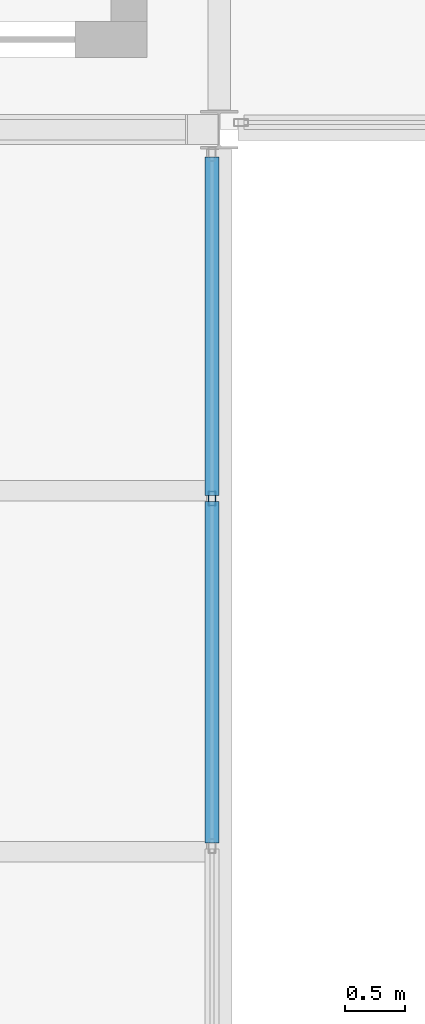
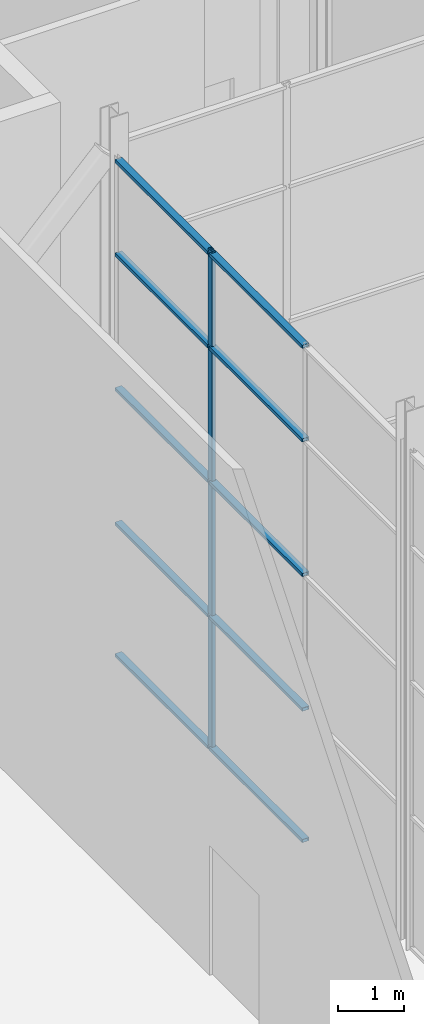
# One storey, part 35 of 111: 11 members, 1 element without a shape of its own.
"""IFC4 building model written with IfcOpenShell, lengths in metres."""

from ifc_helpers import new_model, si_unit, direction, frame, origin, origin_2d, place, context, subcontext, project, spatial, hollow_rectangle, extrude, material, layer, layer_set, material_profile, profile_set, type_object, element, aggregate, save


model = new_model("IFC4")

# Units and contexts
model_context = context("Model", 3, precision=1e-05, world=origin(), true_north=direction((0.0, 1.0)))
body_context = subcontext(model_context, "Body", "Model", "MODEL_VIEW")
ifc_project = project(units=[si_unit("LENGTHUNIT", "METRE"), si_unit("AREAUNIT", "SQUARE_METRE"), si_unit("VOLUMEUNIT", "CUBIC_METRE"), si_unit("PLANEANGLEUNIT", "RADIAN"), si_unit("MASSUNIT", "GRAM", prefix="KILO")], contexts=[model_context])

# Site, building, storey
site_placement = place(None, origin())
site = spatial("IfcSite", under=ifc_project, at=site_placement, CompositionType="ELEMENT")
building_placement = place(site_placement, origin())
building = spatial("IfcBuilding", under=site, at=building_placement, Name="Shorebreak Coast Museum", CompositionType="ELEMENT")
storey_placement = place(building_placement, frame((0.0, 0.0, 16.0)))
storey = spatial("IfcBuildingStorey", under=building, at=storey_placement, Name="L03", CompositionType="ELEMENT", Elevation=16.0)

# Curtain wall, members
ifc_material_1 = material(Name="Aluminium", Category="aluminium")
ifc_layer = layer(ifc_material_1, 0.1201171875)
ifc_layer_set = layer_set([ifc_layer], Name="Aluminium")
curtain_wall_type = type_object("IfcCurtainWallType", Name="Atrium fire screen", PredefinedType="NOTDEFINED", material=ifc_layer_set)
curtain_wall_placement = place(storey_placement, origin())
curtain_wall = element("IfcCurtainWall", 1, at=curtain_wall_placement, inside=storey, type_object=curtain_wall_type, Name="Atrium screen L03 W 46", PredefinedType="NOTDEFINED")
ifc_material_2 = material(Name="Aluminium", Category="aluminium")
ifc_material_profile_1 = material_profile(ifc_material_2, hollow_rectangle(XDim=0.06005859375, YDim=0.1201171875, WallThickness=0.00341796875, at=origin_2d()), Name="AL 120x60 RHS")
ifc_profile_set_1 = profile_set([ifc_material_profile_1], Name="Aluminium")
member_type_1 = type_object("IfcMemberType", Name="Screen mullion 50 x 120", PredefinedType="MULLION", material=ifc_profile_set_1)
member_1_placement = place(storey_placement, frame((62.93994140625, 77.9345703125, 0.0), z_axis=(0.0, 0.0, 1.0), x_axis=(-1.0, 0.0, 0.0)))
member_1 = element("IfcMember", 2, at=member_1_placement, type_object=member_type_1, Name="CW5 mullion 3", PredefinedType="MULLION", context=body_context, shape_type="SweptSolid", body=[
    extrude(hollow_rectangle(XDim=0.06005859375, YDim=0.1201171875, WallThickness=0.00341796875, at=origin_2d()), origin(), (0.0, 0.0, 1.0), 9.296875),
])
ifc_material_3 = material(Name="Aluminium", Category="aluminium")
ifc_material_profile_2 = material_profile(ifc_material_3, hollow_rectangle(XDim=0.1201171875, YDim=0.06005859375, WallThickness=0.00341796875, at=origin_2d()), Name="AL 60x120 RHS")
ifc_profile_set_2 = profile_set([ifc_material_profile_2], Name="Aluminium")
member_type_2 = type_object("IfcMemberType", Name="Screen transom 120 x 50", PredefinedType="USERDEFINED", material=ifc_profile_set_2)
member_2_placement = place(storey_placement, frame((62.93994140625, 75.072509765625, 0.06005859375), z_axis=(0.0, 1.0, 0.0), x_axis=(-1.0, 0.0, 0.0)))
member_2 = element("IfcMember", 3, at=member_2_placement, type_object=member_type_2, Name="CW5 transom 2.1", ObjectType="TRANSOM", PredefinedType="USERDEFINED", context=body_context, shape_type="SweptSolid", body=[
    extrude(hollow_rectangle(XDim=0.1201171875, YDim=0.06005859375, WallThickness=0.00341796875, at=origin_2d()), origin(), (0.0, 0.0, 1.0), 2.837158203125),
])
member_3_placement = place(storey_placement, frame((62.93994140625, 75.072509765625, 2.5), z_axis=(0.0, 1.0, 0.0), x_axis=(-1.0, 0.0, 0.0)))
member_3 = element("IfcMember", 4, at=member_3_placement, type_object=member_type_2, Name="CW5 transom 2.2", ObjectType="TRANSOM", PredefinedType="USERDEFINED", context=body_context, shape_type="SweptSolid", body=[
    extrude(hollow_rectangle(XDim=0.1201171875, YDim=0.06005859375, WallThickness=0.00341796875, at=origin_2d()), origin(), (0.0, 0.0, 1.0), 2.837158203125),
])
member_4_placement = place(storey_placement, frame((62.93994140625, 75.072509765625, 5.0), z_axis=(0.0, 1.0, 0.0), x_axis=(-1.0, 0.0, 0.0)))
member_4 = element("IfcMember", 5, at=member_4_placement, type_object=member_type_2, Name="CW5 transom 2.3", ObjectType="TRANSOM", PredefinedType="USERDEFINED", context=body_context, shape_type="SweptSolid", body=[
    extrude(hollow_rectangle(XDim=0.1201171875, YDim=0.06005859375, WallThickness=0.00341796875, at=origin_2d()), origin(), (0.0, 0.0, 1.0), 2.837158203125),
])
member_5_placement = place(storey_placement, frame((62.93994140625, 75.072509765625, 7.5), z_axis=(0.0, 1.0, 0.0), x_axis=(-1.0, 0.0, 0.0)))
member_5 = element("IfcMember", 6, at=member_5_placement, type_object=member_type_2, Name="CW5 transom 2.4", ObjectType="TRANSOM", PredefinedType="USERDEFINED", context=body_context, shape_type="SweptSolid", body=[
    extrude(hollow_rectangle(XDim=0.1201171875, YDim=0.06005859375, WallThickness=0.00341796875, at=origin_2d()), origin(), (0.0, 0.0, 1.0), 2.837158203125),
])
member_6_placement = place(storey_placement, frame((62.93994140625, 75.072509765625, 9.23681640625), z_axis=(0.0, 1.0, 0.0), x_axis=(-1.0, 0.0, 0.0)))
member_6 = element("IfcMember", 7, at=member_6_placement, type_object=member_type_2, Name="CW5 transom 2.5", ObjectType="TRANSOM", PredefinedType="USERDEFINED", context=body_context, shape_type="SweptSolid", body=[
    extrude(hollow_rectangle(XDim=0.1201171875, YDim=0.06005859375, WallThickness=0.00341796875, at=origin_2d()), origin(), (0.0, 0.0, 1.0), 2.837158203125),
])
member_7_placement = place(storey_placement, frame((62.93994140625, 77.95947265625, 0.06005859375), z_axis=(0.0, 1.0, 0.0), x_axis=(-1.0, 0.0, 0.0)))
member_7 = element("IfcMember", 8, at=member_7_placement, type_object=member_type_2, Name="CW5 transom 3.1", ObjectType="TRANSOM", PredefinedType="USERDEFINED", context=body_context, shape_type="SweptSolid", body=[
    extrude(hollow_rectangle(XDim=0.1201171875, YDim=0.06005859375, WallThickness=0.00341796875, at=origin_2d()), origin(), (0.0, 0.0, 1.0), 2.812255859375),
])
member_8_placement = place(storey_placement, frame((62.93994140625, 77.95947265625, 2.5), z_axis=(0.0, 1.0, 0.0), x_axis=(-1.0, 0.0, 0.0)))
member_8 = element("IfcMember", 9, at=member_8_placement, type_object=member_type_2, Name="CW5 transom 3.2", ObjectType="TRANSOM", PredefinedType="USERDEFINED", context=body_context, shape_type="SweptSolid", body=[
    extrude(hollow_rectangle(XDim=0.1201171875, YDim=0.06005859375, WallThickness=0.00341796875, at=origin_2d()), origin(), (0.0, 0.0, 1.0), 2.812255859375),
])
member_9_placement = place(storey_placement, frame((62.93994140625, 77.95947265625, 5.0), z_axis=(0.0, 1.0, 0.0), x_axis=(-1.0, 0.0, 0.0)))
member_9 = element("IfcMember", 10, at=member_9_placement, type_object=member_type_2, Name="CW5 transom 3.3", ObjectType="TRANSOM", PredefinedType="USERDEFINED", context=body_context, shape_type="SweptSolid", body=[
    extrude(hollow_rectangle(XDim=0.1201171875, YDim=0.06005859375, WallThickness=0.00341796875, at=origin_2d()), origin(), (0.0, 0.0, 1.0), 2.812255859375),
])
member_10_placement = place(storey_placement, frame((62.93994140625, 77.95947265625, 7.5), z_axis=(0.0, 1.0, 0.0), x_axis=(-1.0, 0.0, 0.0)))
member_10 = element("IfcMember", 11, at=member_10_placement, type_object=member_type_2, Name="CW5 transom 3.4", ObjectType="TRANSOM", PredefinedType="USERDEFINED", context=body_context, shape_type="SweptSolid", body=[
    extrude(hollow_rectangle(XDim=0.1201171875, YDim=0.06005859375, WallThickness=0.00341796875, at=origin_2d()), origin(), (0.0, 0.0, 1.0), 2.812255859375),
])
member_11_placement = place(storey_placement, frame((62.93994140625, 77.95947265625, 9.23681640625), z_axis=(0.0, 1.0, 0.0), x_axis=(-1.0, 0.0, 0.0)))
member_11 = element("IfcMember", 12, at=member_11_placement, type_object=member_type_2, Name="CW5 transom 3.5", ObjectType="TRANSOM", PredefinedType="USERDEFINED", context=body_context, shape_type="SweptSolid", body=[
    extrude(hollow_rectangle(XDim=0.1201171875, YDim=0.06005859375, WallThickness=0.00341796875, at=origin_2d()), origin(), (0.0, 0.0, 1.0), 2.812255859375),
])
aggregate(curtain_wall, [member_1, member_2, member_3, member_4, member_5, member_6, member_7, member_8, member_9, member_10, member_11])

save(model, "model.ifc")
